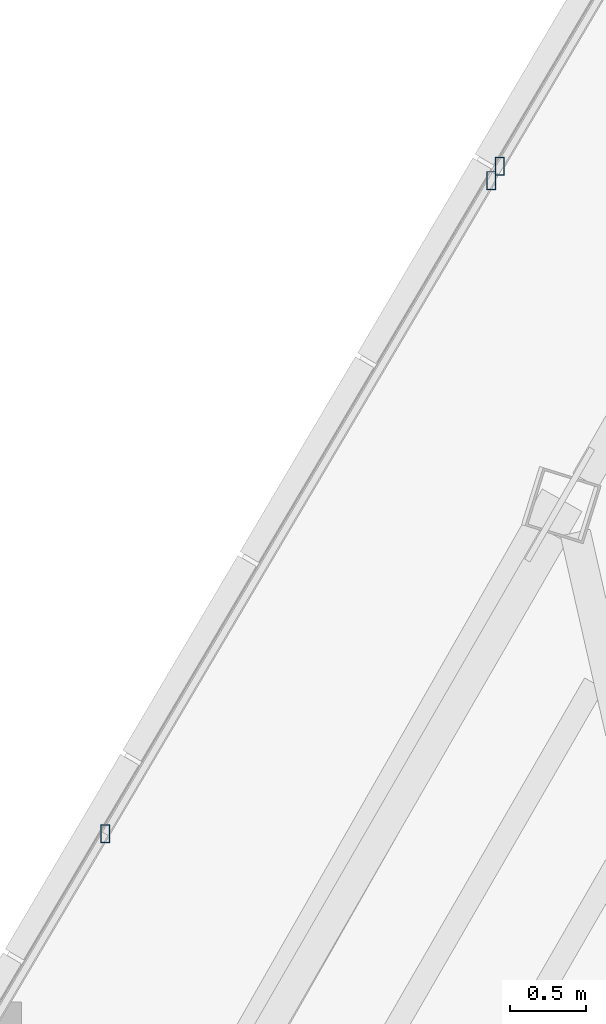
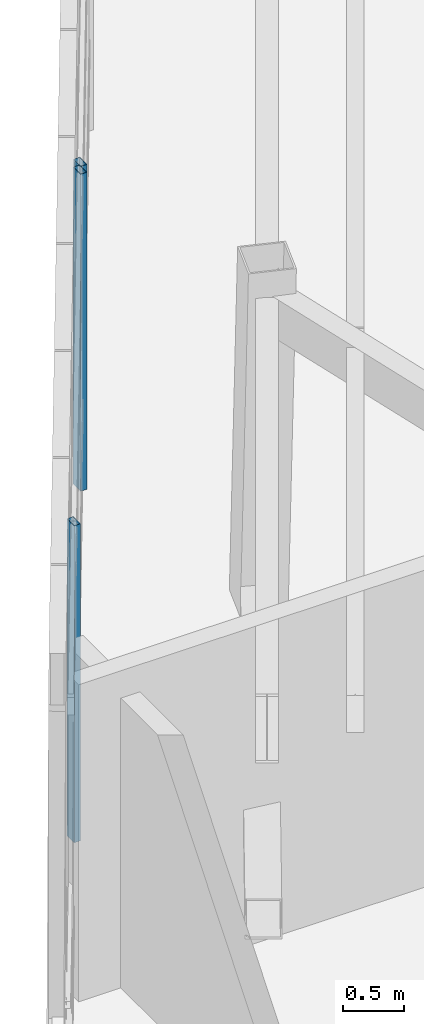
# One storey, part 19 of 44: 3 members, 2 elements without a shape of their own.
"""IFC4 building model written with IfcOpenShell, lengths in metres."""

import ifcopenshell
import ifcopenshell.guid

model = None  # the IFC model being written
_history = None  # IfcOwnerHistory: only IFC2X3 demands one
_inside = {}  # id of a spatial element -> (the spatial element, [elements in it])
_under = {}  # id of a project, library or spatial element -> (it, [spatial elements below it])
_declared = {}  # id of a project -> (the project, [libraries it declares])
_typed = {}  # id of a type object -> (the type object, [elements of that type])
_made_of = {}  # id of a material, layer set ... -> (it, [elements and type objects made of it])


def new_model(schema):
    """Start an empty IFC model of exactly this schema.

    Asked for "IFC4X3", IfcOpenShell would pick the latest addendum, in which some entities
    have other attributes; the version numbers below select the first issue.
    IFC2X3 requires an IfcOwnerHistory on every rooted entity: one is made here for all.
    """
    global model, _history
    if schema == "IFC4X3":
        model = ifcopenshell.file(schema_version=(4, 3, 0, 0))
    else:
        model = ifcopenshell.file(schema=schema)
    _inside.clear()
    _under.clear()
    _declared.clear()
    _typed.clear()
    _made_of.clear()
    _history = None
    if model.schema == "IFC2X3":
        org = make("IfcOrganization", Name="unknown")
        user = make(
            "IfcPersonAndOrganization",
            ThePerson=make("IfcPerson", FamilyName="unknown"),
            TheOrganization=org,
        )
        app = make(
            "IfcApplication",
            ApplicationDeveloper=org,
            Version="unknown",
            ApplicationFullName="unknown",
            ApplicationIdentifier="unknown",
        )
        _history = make(
            "IfcOwnerHistory",
            OwningUser=user,
            OwningApplication=app,
            ChangeAction="ADDED",
            CreationDate=0,
        )
    return model


def make(cls, **values):
    """One entity of the class cls with the attributes given. An attribute that is None is left unset."""
    return model.create_entity(
        cls, **{name: value for name, value in values.items() if value is not None}
    )


def rooted(cls, **values):
    """An entity with a GlobalId (a new one), such as an element, a storey or a relation."""
    return make(cls, GlobalId=ifcopenshell.guid.new(), OwnerHistory=_history, **values)


def si_unit(unit_type, name, prefix=None):
    """IfcSIUnit, for example si_unit("LENGTHUNIT", "METRE", prefix="MILLI")."""
    return make("IfcSIUnit", UnitType=unit_type, Prefix=prefix, Name=name)


def assignment(units):
    """IfcUnitAssignment: the units of a project."""
    return None if units is None else make("IfcUnitAssignment", Units=units)


def point(xyz):
    """IfcCartesianPoint."""
    return None if xyz is None else make("IfcCartesianPoint", Coordinates=xyz)


def direction(xyz):
    """IfcDirection."""
    return None if xyz is None else make("IfcDirection", DirectionRatios=xyz)


def frame(location, z_axis=None, x_axis=None):
    """IfcAxis2Placement3D, a coordinate frame: its origin and axes. An axis left out is left unset."""
    return make(
        "IfcAxis2Placement3D",
        Location=point(location),
        Axis=direction(z_axis),
        RefDirection=direction(x_axis),
    )


def frame_2d(location, x_axis=None):
    """IfcAxis2Placement2D, a coordinate frame in the plane: its origin and x axis."""
    return make(
        "IfcAxis2Placement2D", Location=point(location), RefDirection=direction(x_axis)
    )


def origin():
    """The frame at (0, 0, 0) with its axes left unset."""
    return frame((0.0, 0.0, 0.0))


def origin_2d():
    """The frame at (0, 0) in the plane with its x axis left unset."""
    return frame_2d((0.0, 0.0))


def place(relative_to, where):
    """IfcLocalPlacement: puts the frame where relative to a parent placement (None: the world)."""
    return make(
        "IfcLocalPlacement", PlacementRelTo=relative_to, RelativePlacement=where
    )


def context(
    kind, dimensions, precision=None, world=None, true_north=None, identifier=None
):
    """IfcGeometricRepresentationContext, for example the 3D "Model" context."""
    return make(
        "IfcGeometricRepresentationContext",
        ContextIdentifier=identifier,
        ContextType=kind,
        CoordinateSpaceDimension=dimensions,
        Precision=precision,
        WorldCoordinateSystem=world,
        TrueNorth=true_north,
    )


def subcontext(parent, identifier, kind, view, scale=None):
    """IfcGeometricRepresentationSubContext, for example "Body" below "Model"."""
    return make(
        "IfcGeometricRepresentationSubContext",
        ContextIdentifier=identifier,
        ContextType=kind,
        ParentContext=parent,
        TargetScale=scale,
        TargetView=view,
    )


def project(units=None, contexts=None):
    """IfcProject with its units and contexts."""
    return rooted(
        "IfcProject",
        Name="project",
        RepresentationContexts=contexts,
        UnitsInContext=assignment(units),
    )


def spatial(cls, under=None, at=None, **own):
    """A site, building, storey or space (cls), placed at a placement, below another one or the project."""
    s = rooted(cls, ObjectPlacement=at, **own)
    if under is not None:
        _under.setdefault(under.id(), (under, []))[1].append(s)
    return s


def profile(cls, at=None, kind="AREA", **sizes):
    """A parametric profile (cls). Its sizes go by their IFC names, for example OverallWidth=200.0."""
    return make(cls, ProfileType=kind, Position=at, **sizes)


def hollow_rectangle(**sizes):
    """IfcRectangleHollowProfileDef."""
    return profile("IfcRectangleHollowProfileDef", **sizes)


def extrude(swept, where, along, depth):
    """IfcExtrudedAreaSolid: the profile swept, set in the frame where, extruded along a direction by depth."""
    return make(
        "IfcExtrudedAreaSolid",
        SweptArea=swept,
        Position=where,
        ExtrudedDirection=direction(along),
        Depth=depth,
    )


def shape(context_of_items, identifier, shape_type, items):
    """IfcShapeRepresentation: the items that make up one representation, for example the "Body"."""
    return make(
        "IfcShapeRepresentation",
        ContextOfItems=context_of_items,
        RepresentationIdentifier=identifier,
        RepresentationType=shape_type,
        Items=items,
    )


def source(mapping_origin, context_of_items, identifier, shape_type, items):
    """IfcRepresentationMap: a shape defined once, which mapped items show again and again."""
    return make(
        "IfcRepresentationMap",
        MappingOrigin=mapping_origin,
        MappedRepresentation=shape(context_of_items, identifier, shape_type, items),
    )


def transform(
    local_origin,
    x_axis=None,
    y_axis=None,
    z_axis=None,
    scale=None,
    scale2=None,
    scale3=None,
    uniform=True,
):
    """IfcCartesianTransformationOperator3D, or its non-uniform kind. x_axis, y_axis, z_axis: its Axis1, 2, 3."""
    if uniform:
        return make(
            "IfcCartesianTransformationOperator3D",
            Axis1=direction(x_axis),
            Axis2=direction(y_axis),
            LocalOrigin=point(local_origin),
            Scale=scale,
            Axis3=direction(z_axis),
        )
    return make(
        "IfcCartesianTransformationOperator3DnonUniform",
        Axis1=direction(x_axis),
        Axis2=direction(y_axis),
        LocalOrigin=point(local_origin),
        Scale=scale,
        Axis3=direction(z_axis),
        Scale2=scale2,
        Scale3=scale3,
    )


def mapped(mapping_source, mapping_target):
    """IfcMappedItem: shows the shape of a source again, moved by a transform."""
    return make(
        "IfcMappedItem", MappingSource=mapping_source, MappingTarget=mapping_target
    )


def material(Name=None, Category=None):
    """IfcMaterial."""
    return make("IfcMaterial", Name=Name, Category=Category)


def material_profile(
    of_material, cross_section, Name=None, Category=None, Priority=None
):
    """IfcMaterialProfile: a cross section and its material."""
    return make(
        "IfcMaterialProfile",
        Name=Name,
        Material=of_material,
        Profile=cross_section,
        Priority=Priority,
        Category=Category,
    )


def profile_set(profiles, Name=None, composite=None):
    """IfcMaterialProfileSet."""
    return make(
        "IfcMaterialProfileSet",
        Name=Name,
        MaterialProfiles=profiles,
        CompositeProfile=composite,
    )


def made_of(thing, what):
    """Note that an element or type object is made of a material, layer set ...; save() writes the relation."""
    if what is not None:
        _made_of.setdefault(what.id(), (what, []))[1].append(thing)
    return thing


def type_object(cls, material=None, **own):
    """A type object (cls), such as IfcWallType, which elements share."""
    return made_of(rooted(cls, **own), material)


def type_shapes(of_type, sources):
    """Give a type object the sources (RepresentationMaps) that its elements show as mapped items."""
    of_type.RepresentationMaps = sources


def element(
    cls,
    number,
    at=None,
    inside=None,
    cuts=None,
    type_object=None,
    material=None,
    context=None,
    identifier="Body",
    shape_type=None,
    held_by="IfcProductDefinitionShape",
    body=None,
    shapes=None,
    **own,
):
    """One element of the class cls, such as IfcWall. Its Tag is "e" and its number.

    at: its placement. inside: the storey or other place that contains it. cuts: it is an
    opening in that element (IfcRelVoidsElement). A single representation is given by context,
    identifier, shape_type and body (its items); several are given by shapes. held_by: the class
    of the entity that holds the representations. save() writes the other relations.
    """
    e = rooted(cls, Tag="e%d" % number, ObjectPlacement=at, **own)
    if body is not None:
        shapes = [shape(context, identifier, shape_type, body)]
    if shapes is not None:
        e.Representation = make(held_by, Representations=shapes)
    if inside is not None:
        _inside.setdefault(inside.id(), (inside, []))[1].append(e)
    if cuts is not None:
        rooted(
            "IfcRelVoidsElement", RelatingBuildingElement=cuts, RelatedOpeningElement=e
        )
    if type_object is not None:
        _typed.setdefault(type_object.id(), (type_object, []))[1].append(e)
    return made_of(e, material)


def aggregate(whole, parts):
    """IfcRelAggregates: a whole, such as a stair, and the parts it consists of."""
    return rooted("IfcRelAggregates", RelatingObject=whole, RelatedObjects=parts)


def save(model, path):
    """Write the relations noted so far, then the file.

    IfcRelAggregates (storeys below a building ...), IfcRelContainedInSpatialStructure (elements
    in a storey), IfcRelDefinesByType, IfcRelAssociatesMaterial and IfcRelDeclares: one each for
    every whole, place, type object, material and project.
    """
    for whole, parts in _under.values():
        aggregate(whole, parts)
    for where, things in _inside.values():
        rooted(
            "IfcRelContainedInSpatialStructure",
            RelatedElements=things,
            RelatingStructure=where,
        )
    for kind, things in _typed.values():
        rooted("IfcRelDefinesByType", RelatedObjects=things, RelatingType=kind)
    for what, things in _made_of.values():
        rooted("IfcRelAssociatesMaterial", RelatedObjects=things, RelatingMaterial=what)
    for by, libraries in _declared.values():
        rooted("IfcRelDeclares", RelatingContext=by, RelatedDefinitions=libraries)
    model.write(path)


model = new_model("IFC4")

# Units and contexts
model_context = context("Model", 3, precision=1e-05, world=origin(), true_north=direction((0.0, 1.0)))
body_context = subcontext(model_context, "Body", "Model", "MODEL_VIEW")
ifc_project = project(units=[si_unit("LENGTHUNIT", "METRE"), si_unit("AREAUNIT", "SQUARE_METRE"), si_unit("VOLUMEUNIT", "CUBIC_METRE"), si_unit("PLANEANGLEUNIT", "RADIAN"), si_unit("MASSUNIT", "GRAM", prefix="KILO")], contexts=[model_context])

# Site, building, storey
site_placement = place(None, origin())
site = spatial("IfcSite", under=ifc_project, at=site_placement, CompositionType="ELEMENT")
building_placement = place(site_placement, origin())
building = spatial("IfcBuilding", under=site, at=building_placement, Name="Caelisora Broadcast Tower", CompositionType="ELEMENT")
storey_placement = place(building_placement, frame((0.0, 0.0, 296.60009765625)))
storey = spatial("IfcBuildingStorey", under=building, at=storey_placement, Name="L78", CompositionType="ELEMENT", Elevation=296.60009765625)

# Curtain wall, members
ifc_material_1 = material(Name="Unitised Aluminium Insulated Shadow-Box Spandrel Curtain Wall", Category="aluminium")
curtain_wall_type = type_object("IfcCurtainWallType", Name="CW-SP3", PredefinedType="NOTDEFINED", material=ifc_material_1)
curtain_wall_1_placement = place(storey_placement, origin())
curtain_wall_1 = element("IfcCurtainWall", 1, at=curtain_wall_1_placement, inside=storey, type_object=curtain_wall_type, Name="L78 curtain wall CW-SP3", PredefinedType="NOTDEFINED")
ifc_material_2 = material(Name="Aluminium 6063-T6 Anodised Terracotta Bronze", Category="aluminium")
ifc_material_profile = material_profile(ifc_material_2, hollow_rectangle(XDim=0.06005859375, YDim=0.1201171875, WallThickness=0.0029296875, at=origin_2d()), Name="Aluminium 6063-T6 Anodised Terracotta Bronze")
ifc_profile_set = profile_set([ifc_material_profile], Name="Aluminium 6063-T6 Anodised Terracotta Bronze")
member_type = type_object("IfcMemberType", Name="CWM-04", PredefinedType="MULLION", material=ifc_profile_set)
shared_shape = source(origin(), body_context, "Body", "SweptSolid", [
    extrude(hollow_rectangle(XDim=0.06005859375, YDim=0.1201171875, WallThickness=0.0029296875, at=origin_2d()), origin(), (0.0, 0.0, 1.0), 3.14990234375),
])
type_shapes(member_type, [shared_shape])
member_1_placement = place(storey_placement, frame((26.04150390625, 34.041259765625, 0.0), z_axis=(0.0, 0.0, 1.0), x_axis=(1.0, 0.0, 0.0)))
member_1 = element("IfcMember", 2, at=member_1_placement, type_object=member_type, Name="L78-CW-B10 mullion #2", PredefinedType="MULLION", context=body_context, shape_type="MappedRepresentation", body=[
    mapped(shared_shape, transform((0.0, 0.0, 0.0), scale=1.0)),
])
member_2_placement = place(storey_placement, frame((28.57958984375, 38.3359375, 0.0), z_axis=(0.0, 0.0, 1.0), x_axis=(1.0, 0.0, 0.0)))
member_2 = element("IfcMember", 3, at=member_2_placement, type_object=member_type, Name="L78-CW-B10 mullion #3", PredefinedType="MULLION", context=body_context, shape_type="MappedRepresentation", body=[
    mapped(shared_shape, transform((0.0, 0.0, 0.0), scale=1.0)),
])
aggregate(curtain_wall_1, [member_1, member_2])

# Curtain wall, member
curtain_wall_2_placement = place(storey_placement, origin())
curtain_wall_2 = element("IfcCurtainWall", 4, at=curtain_wall_2_placement, inside=storey, type_object=curtain_wall_type, Name="L78 curtain wall CW-SP3", PredefinedType="NOTDEFINED")
member_3_placement = place(storey_placement, frame((28.6357421875, 38.4306640625, 0.0), z_axis=(0.0, 0.0, 1.0), x_axis=(1.0, 0.0, 0.0)))
member_3 = element("IfcMember", 5, at=member_3_placement, type_object=member_type, Name="L78-CW-B11 mullion #0", PredefinedType="MULLION", context=body_context, shape_type="MappedRepresentation", body=[
    mapped(shared_shape, transform((0.0, 0.0, 0.0), scale=1.0)),
])
aggregate(curtain_wall_2, [member_3])

save(model, "model.ifc")
